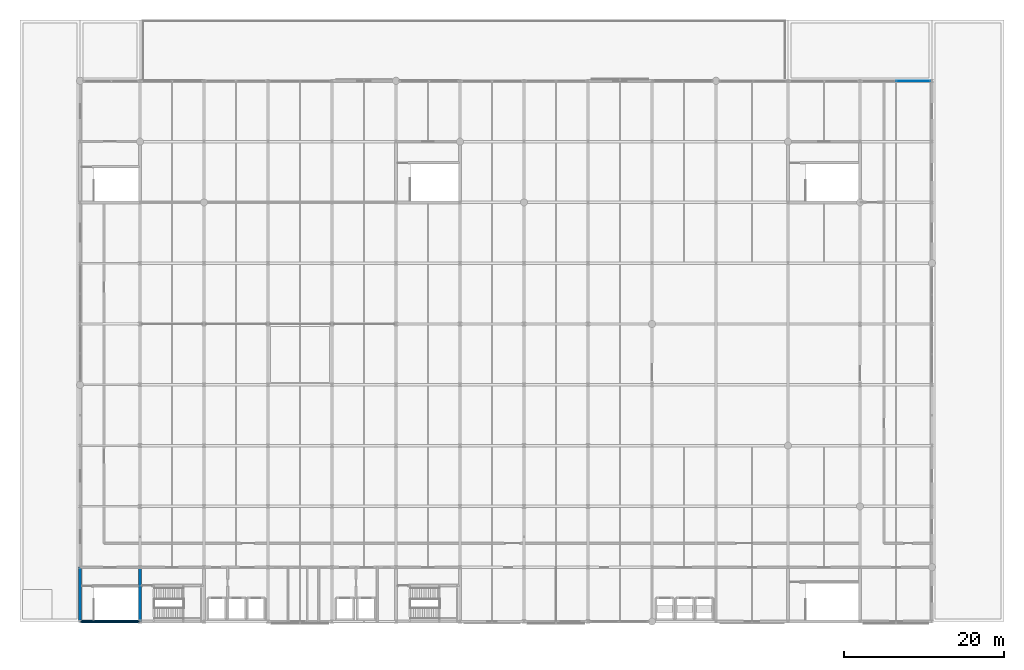
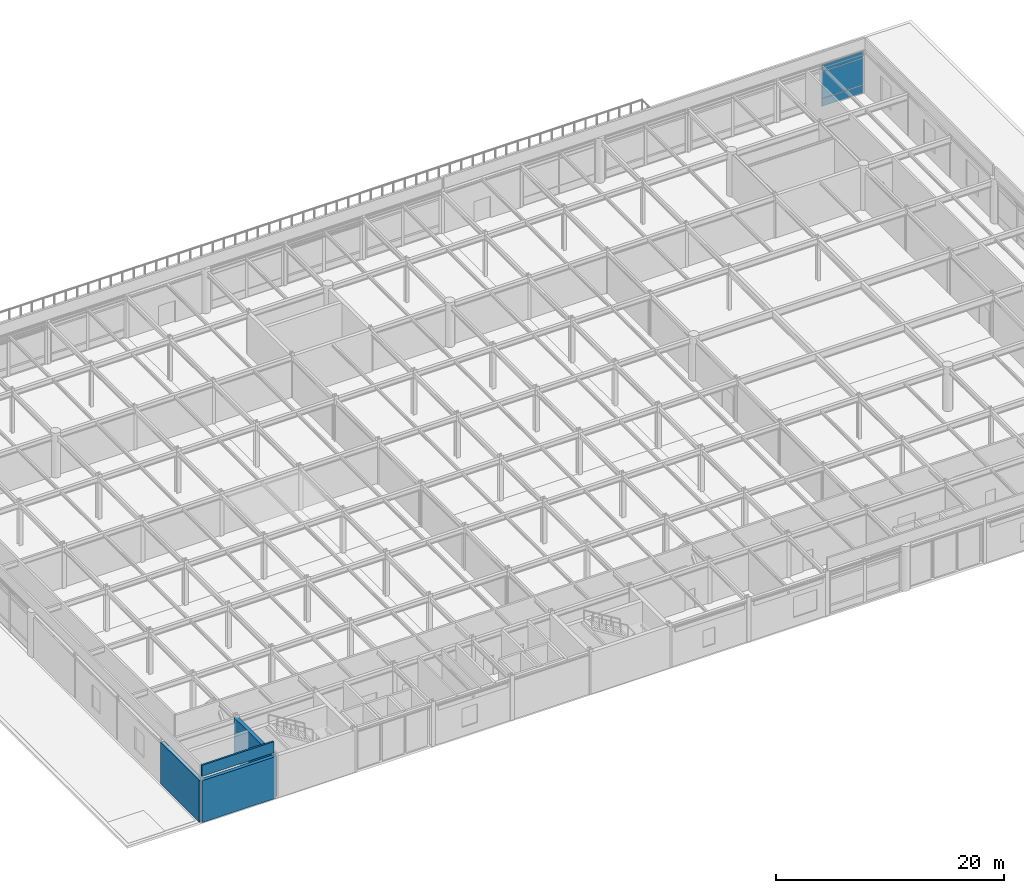
# One storey, part 32 of 43: 4 walls, 3 plates, 1 element without a shape of its own.
"""IFC4 building model written with IfcOpenShell, lengths in metres."""

from ifc_helpers import new_model, si_unit, direction, frame, frame_2d, origin, origin_2d, place, context, subcontext, project, spatial, rectangle, extrude, material, layer, layer_set, type_object, element, aggregate, save


model = new_model("IFC4")

# Units and contexts
model_context = context("Model", 3, precision=1e-05, world=origin(), true_north=direction((0.0, 1.0)))
body_context = subcontext(model_context, "Body", "Model", "MODEL_VIEW")
ifc_project = project(units=[si_unit("LENGTHUNIT", "METRE"), si_unit("AREAUNIT", "SQUARE_METRE"), si_unit("VOLUMEUNIT", "CUBIC_METRE"), si_unit("PLANEANGLEUNIT", "RADIAN"), si_unit("MASSUNIT", "GRAM", prefix="KILO")], contexts=[model_context])

# Site, building, storey
site_placement = place(None, origin())
site = spatial("IfcSite", under=ifc_project, at=site_placement, CompositionType="ELEMENT")
building_placement = place(site_placement, origin())
building = spatial("IfcBuilding", under=site, at=building_placement, Name="Shalkamar Park Central Library", CompositionType="ELEMENT")
storey_placement = place(building_placement, frame((0.0, 0.0, 15.60009765625)))
storey = spatial("IfcBuildingStorey", under=building, at=storey_placement, Name="L04", CompositionType="ELEMENT", Elevation=15.60009765625)

# Curtain wall, plates
ifc_material_1 = material(Name="Thermally broken aluminium and triple low-e curtain wall", Category="aluminium")
ifc_layer_1 = layer(ifc_material_1, 0.27001953125)
ifc_layer_set_1 = layer_set([ifc_layer_1], Name="UnitisedCurtainWall_62")
curtain_wall_type = type_object("IfcCurtainWallType", Name="Unitised Curtain Wall 62", PredefinedType="USERDEFINED", material=ifc_layer_set_1)
curtain_wall_placement = place(storey_placement, origin())
curtain_wall = element("IfcCurtainWall", 1, at=curtain_wall_placement, inside=storey, type_object=curtain_wall_type, Name="Unitised Curtain Wall CW-L04-077", ObjectType="UNITISED CURTAIN WALL", PredefinedType="USERDEFINED")
ifc_material_2 = material(Name="Triple-glazed laminated glass", Category="glass")
ifc_layer_2 = layer(ifc_material_2, 0.06005859375)
ifc_layer_set_2 = layer_set([ifc_layer_2], Name="TripleGlazedPodiumPanel_60")
plate_type = type_object("IfcPlateType", Name="Triple Glazed Podium Panel 60", PredefinedType="CURTAIN_PANEL", material=ifc_layer_set_2)
plate_1_placement = place(storey_placement, frame((261.6455078125, 316.0, 0.06494140625), z_axis=(0.0, 0.0, 1.0), x_axis=(1.0, 0.0, 0.0)))
plate_1 = element("IfcPlate", 2, at=plate_1_placement, type_object=plate_type, Name="CW-62 panel 2.1", PredefinedType="CURTAIN_PANEL", context=body_context, shape_type="SweptSolid", body=[
    extrude(rectangle(XDim=4.220947265625, YDim=0.06005859375, at=origin_2d()), origin(), (0.0, 0.0, 1.0), 0.802490234375),
])
plate_2_placement = place(storey_placement, frame((261.6455078125, 316.0, 0.932373046875), z_axis=(0.0, 0.0, 1.0), x_axis=(1.0, 0.0, 0.0)))
plate_2 = element("IfcPlate", 3, at=plate_2_placement, type_object=plate_type, Name="CW-62 panel 2.2", PredefinedType="CURTAIN_PANEL", context=body_context, shape_type="SweptSolid", body=[
    extrude(rectangle(XDim=4.220947265625, YDim=0.06005859375, at=origin_2d()), origin(), (0.0, 0.0, 1.0), 2.8349609375),
])
plate_3_placement = place(storey_placement, frame((261.6455078125, 316.0, 3.83251953125), z_axis=(0.0, 0.0, 1.0), x_axis=(1.0, 0.0, 0.0)))
plate_3 = element("IfcPlate", 4, at=plate_3_placement, type_object=plate_type, Name="CW-62 panel 2.3", PredefinedType="CURTAIN_PANEL", context=body_context, shape_type="SweptSolid", body=[
    extrude(rectangle(XDim=4.220947265625, YDim=0.06005859375, at=origin_2d()), origin(), (0.0, 0.0, 1.0), 0.652587890625),
])
aggregate(curtain_wall, [plate_1, plate_2, plate_3])

# Walls
ifc_material_3 = material(Name="Concrete C40/50", Category="concrete")
ifc_layer_3 = layer(ifc_material_3, 0.35009765625)
ifc_layer_set_3 = layer_set([ifc_layer_3], Name="Concrete C40/50")
wall_type_1 = type_object("IfcWallType", Name="Podium Core Shear Wall 350", PredefinedType="SHEAR", material=ifc_layer_set_3)
wall_1_placement = place(storey_placement, frame((157.5, 248.39990234375, 0.0), z_axis=(0.0, 0.0, 1.0), x_axis=(1.0, 0.0, 0.0)))
element("IfcWall", 5, at=wall_1_placement, inside=storey, type_object=wall_type_1, Name="CORE-P1 South Shear Wall (L04)", PredefinedType="SHEAR", context=body_context, shape_type="SweptSolid", body=[
    extrude(rectangle(XDim=7.5, YDim=0.35009765625, at=frame_2d((3.75, 0.0))), origin(), (0.0, 0.0, 1.0), 4.47998046875),
])
wall_2_placement = place(storey_placement, frame((157.5, 248.39990234375, 0.0), z_axis=(0.0, 0.0, 1.0), x_axis=(0.0, 1.0, 0.0)))
element("IfcWall", 6, at=wall_2_placement, inside=storey, type_object=wall_type_1, Name="CORE-P1 West Shear Wall (L04)", PredefinedType="SHEAR", context=body_context, shape_type="SweptSolid", body=[
    extrude(rectangle(XDim=6.800048828125, YDim=0.35009765625, at=frame_2d((3.39990234375, 0.0))), origin(), (0.0, 0.0, 1.0), 4.47998046875),
])
ifc_material_4 = material(Name="Concrete C35/45 precast", Category="concrete")
ifc_layer_4 = layer(ifc_material_4, 0.179931640625)
ifc_layer_set_4 = layer_set([ifc_layer_4], Name="Concrete C35/45 precast")
wall_type_2 = type_object("IfcWallType", Name="Roof Parapet Wall 180", PredefinedType="PARAPET", material=ifc_layer_set_4)
wall_3_placement = place(storey_placement, frame((157.60009765625, 248.5, 4.7998046875), z_axis=(0.0, 0.0, 1.0), x_axis=(1.0, 0.0, 0.0)))
element("IfcWall", 7, at=wall_3_placement, inside=storey, type_object=wall_type_2, Name="Roof Parapet Wall L04-26", PredefinedType="PARAPET", context=body_context, shape_type="SweptSolid", body=[
    extrude(rectangle(XDim=7.2998046875, YDim=0.179931640625, at=frame_2d((3.64990234375, 0.0))), origin(), (0.0, 0.0, 1.0), 1.2001953125),
])
ifc_layer_5 = layer(ifc_material_3, 0.39990234375)
ifc_layer_set_5 = layer_set([ifc_layer_5], Name="Concrete C40/50")
wall_type_3 = type_object("IfcWallType", Name="Tower Core Shear Wall 400", PredefinedType="SHEAR", material=ifc_layer_set_5)
wall_4_placement = place(storey_placement, frame((165.0, 248.39990234375, 0.0), z_axis=(0.0, 0.0, 1.0), x_axis=(0.0, 1.0, 0.0)))
element("IfcWall", 8, at=wall_4_placement, inside=storey, type_object=wall_type_3, Name="CORE-T1 West Shear Wall (L04)", PredefinedType="SHEAR", context=body_context, shape_type="SweptSolid", body=[
    extrude(rectangle(XDim=6.800048828125, YDim=0.39990234375, at=frame_2d((3.39990234375, 0.0))), origin(), (0.0, 0.0, 1.0), 4.47998046875),
])

save(model, "model.ifc")
